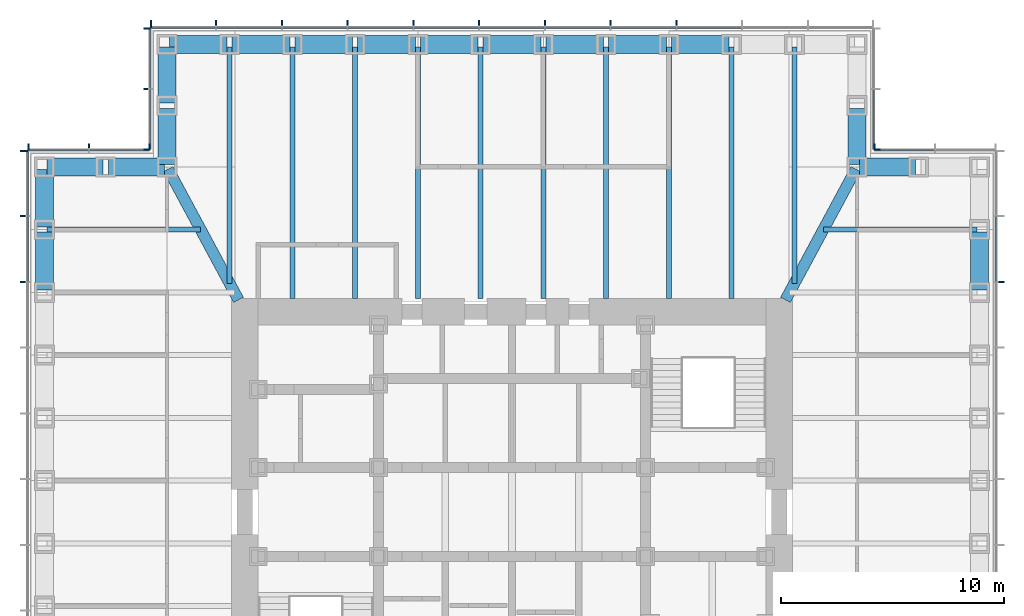
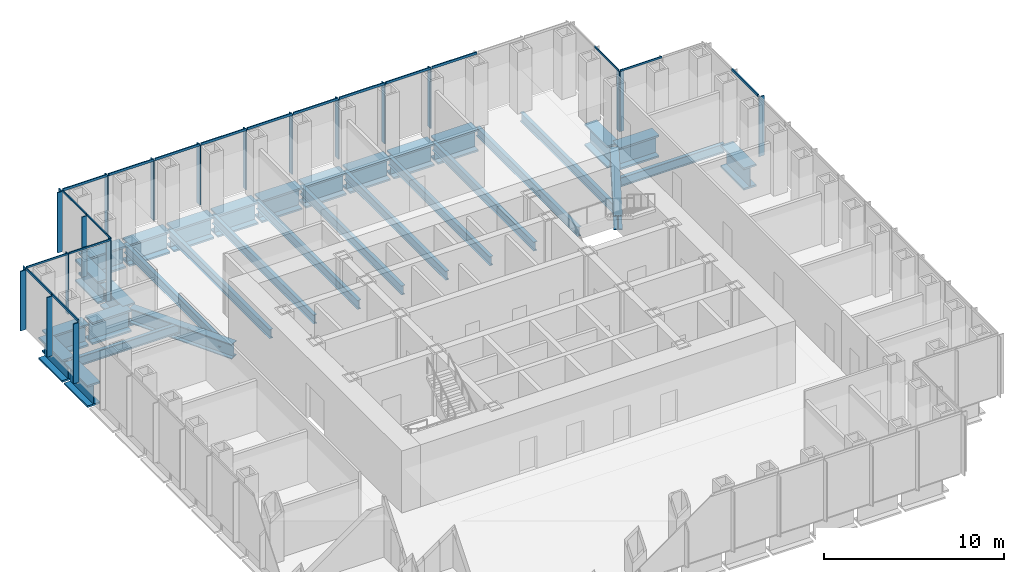
# One storey, part 5 of 17: 39 members, 32 beams, 7 elements without a shape of their own.
"""IFC4 building model written with IfcOpenShell, lengths in metres."""

from ifc_helpers import new_model, si_unit, direction, frame, origin, origin_2d, place, context, subcontext, project, spatial, rectangle, i_section, extrude, material, material_profile, profile_set, type_object, element, aggregate, save


model = new_model("IFC4")

# Units and contexts
model_context = context("Model", 3, precision=1e-05, world=origin(), true_north=direction((0.0, 1.0)))
body_context = subcontext(model_context, "Body", "Model", "MODEL_VIEW")
ifc_project = project(units=[si_unit("LENGTHUNIT", "METRE"), si_unit("AREAUNIT", "SQUARE_METRE"), si_unit("VOLUMEUNIT", "CUBIC_METRE"), si_unit("PLANEANGLEUNIT", "RADIAN"), si_unit("MASSUNIT", "GRAM", prefix="KILO")], contexts=[model_context])

# Site, building, storey
site_placement = place(None, origin())
site = spatial("IfcSite", under=ifc_project, at=site_placement, CompositionType="ELEMENT")
building_placement = place(site_placement, origin())
building = spatial("IfcBuilding", under=site, at=building_placement, Name="Daluyong Arena Tower", CompositionType="ELEMENT")
storey_placement = place(building_placement, frame((0.0, 0.0, 193.89990234375)))
storey = spatial("IfcBuildingStorey", under=building, at=storey_placement, Name="L43", CompositionType="ELEMENT", Elevation=193.89990234375)

# Curtain wall, member
ifc_material_1 = material(Name="Bronze anodised aluminium and glass", Category="aluminium")
curtain_wall_type_1 = type_object("IfcCurtainWallType", Name="Curtain wall CW3", PredefinedType="USERDEFINED", material=ifc_material_1)
curtain_wall_1_placement = place(storey_placement, origin())
curtain_wall_1 = element("IfcCurtainWall", 1, at=curtain_wall_1_placement, inside=storey, type_object=curtain_wall_type_1, Name="curtain wall L43 E", ObjectType="UNITISED CURTAIN WALL", PredefinedType="USERDEFINED")
ifc_material_2 = material(Name="Bronze anodised aluminium fin", Category="aluminium")
ifc_material_profile_1 = material_profile(ifc_material_2, rectangle(XDim=0.35009765625, YDim=0.070068359375, at=origin_2d()))
ifc_profile_set_1 = profile_set([ifc_material_profile_1], Name="Bronze anodised aluminium fin")
member_type_1 = type_object("IfcMemberType", Name="CW3 bronze fin 350x70", PredefinedType="MULLION", material=ifc_profile_set_1)
member_1_placement = place(storey_placement, frame((77.925048828125, 90.3408203125, 0.0), z_axis=(0.0, 0.0, 1.0), x_axis=(-1.0, 0.0, 0.0)))
member_1 = element("IfcMember", 2, at=member_1_placement, type_object=member_type_1, Name="curtain wall L43 E fin 10", PredefinedType="MULLION", context=body_context, shape_type="SweptSolid", body=[
    extrude(rectangle(XDim=0.35009765625, YDim=0.070068359375, at=origin_2d()), origin(), (0.0, 0.0, 1.0), 4.0400390625),
])

# Curtain wall, members
curtain_wall_2_placement = place(storey_placement, origin())
curtain_wall_2 = element("IfcCurtainWall", 3, at=curtain_wall_2_placement, inside=storey, type_object=curtain_wall_type_1, Name="curtain wall L43 N", ObjectType="UNITISED CURTAIN WALL", PredefinedType="USERDEFINED")
member_2_placement = place(storey_placement, frame((63.386474609375, 101.925048828125, 0.0), z_axis=(0.0, 0.0, 1.0), x_axis=(0.0, -1.0, 0.0)))
member_2 = element("IfcMember", 4, at=member_2_placement, type_object=member_type_1, Name="curtain wall L43 N fin 4", PredefinedType="MULLION", context=body_context, shape_type="SweptSolid", body=[
    extrude(rectangle(XDim=0.35009765625, YDim=0.070068359375, at=origin_2d()), origin(), (0.0, 0.0, 1.0), 4.0400390625),
])
member_3_placement = place(storey_placement, frame((60.431884765625, 101.925048828125, 0.0), z_axis=(0.0, 0.0, 1.0), x_axis=(0.0, -1.0, 0.0)))
member_3 = element("IfcMember", 5, at=member_3_placement, type_object=member_type_1, Name="curtain wall L43 N fin 5", PredefinedType="MULLION", context=body_context, shape_type="SweptSolid", body=[
    extrude(rectangle(XDim=0.35009765625, YDim=0.070068359375, at=origin_2d()), origin(), (0.0, 0.0, 1.0), 4.0400390625),
])
member_4_placement = place(storey_placement, frame((57.477294921875, 101.925048828125, 0.0), z_axis=(0.0, 0.0, 1.0), x_axis=(0.0, -1.0, 0.0)))
member_4 = element("IfcMember", 6, at=member_4_placement, type_object=member_type_1, Name="curtain wall L43 N fin 6", PredefinedType="MULLION", context=body_context, shape_type="SweptSolid", body=[
    extrude(rectangle(XDim=0.35009765625, YDim=0.070068359375, at=origin_2d()), origin(), (0.0, 0.0, 1.0), 4.0400390625),
])
member_5_placement = place(storey_placement, frame((54.522705078125, 101.925048828125, 0.0), z_axis=(0.0, 0.0, 1.0), x_axis=(0.0, -1.0, 0.0)))
member_5 = element("IfcMember", 7, at=member_5_placement, type_object=member_type_1, Name="curtain wall L43 N fin 7", PredefinedType="MULLION", context=body_context, shape_type="SweptSolid", body=[
    extrude(rectangle(XDim=0.35009765625, YDim=0.070068359375, at=origin_2d()), origin(), (0.0, 0.0, 1.0), 4.0400390625),
])
member_6_placement = place(storey_placement, frame((51.568115234375, 101.925048828125, 0.0), z_axis=(0.0, 0.0, 1.0), x_axis=(0.0, -1.0, 0.0)))
member_6 = element("IfcMember", 8, at=member_6_placement, type_object=member_type_1, Name="curtain wall L43 N fin 8", PredefinedType="MULLION", context=body_context, shape_type="SweptSolid", body=[
    extrude(rectangle(XDim=0.35009765625, YDim=0.070068359375, at=origin_2d()), origin(), (0.0, 0.0, 1.0), 4.0400390625),
])
member_7_placement = place(storey_placement, frame((48.613525390625, 101.925048828125, 0.0), z_axis=(0.0, 0.0, 1.0), x_axis=(0.0, -1.0, 0.0)))
member_7 = element("IfcMember", 9, at=member_7_placement, type_object=member_type_1, Name="curtain wall L43 N fin 9", PredefinedType="MULLION", context=body_context, shape_type="SweptSolid", body=[
    extrude(rectangle(XDim=0.35009765625, YDim=0.070068359375, at=origin_2d()), origin(), (0.0, 0.0, 1.0), 4.0400390625),
])
member_8_placement = place(storey_placement, frame((45.6591796875, 101.925048828125, 0.0), z_axis=(0.0, 0.0, 1.0), x_axis=(0.0, -1.0, 0.0)))
member_8 = element("IfcMember", 10, at=member_8_placement, type_object=member_type_1, Name="curtain wall L43 N fin 10", PredefinedType="MULLION", context=body_context, shape_type="SweptSolid", body=[
    extrude(rectangle(XDim=0.35009765625, YDim=0.070068359375, at=origin_2d()), origin(), (0.0, 0.0, 1.0), 4.0400390625),
])
member_9_placement = place(storey_placement, frame((42.70458984375, 101.925048828125, 0.0), z_axis=(0.0, 0.0, 1.0), x_axis=(0.0, -1.0, 0.0)))
member_9 = element("IfcMember", 11, at=member_9_placement, type_object=member_type_1, Name="curtain wall L43 N fin 11", PredefinedType="MULLION", context=body_context, shape_type="SweptSolid", body=[
    extrude(rectangle(XDim=0.35009765625, YDim=0.070068359375, at=origin_2d()), origin(), (0.0, 0.0, 1.0), 4.0400390625),
])
member_10_placement = place(storey_placement, frame((39.784912109375, 101.925048828125, 0.0), z_axis=(0.0, 0.0, 1.0), x_axis=(0.0, -1.0, 0.0)))
member_10 = element("IfcMember", 12, at=member_10_placement, type_object=member_type_1, Name="curtain wall L43 N fin 12", PredefinedType="MULLION", context=body_context, shape_type="SweptSolid", body=[
    extrude(rectangle(XDim=0.35009765625, YDim=0.070068359375, at=origin_2d()), origin(), (0.0, 0.0, 1.0), 4.0400390625),
])

curtain_wall_3_placement = place(storey_placement, origin())
curtain_wall_3 = element("IfcCurtainWall", 13, at=curtain_wall_3_placement, inside=storey, type_object=curtain_wall_type_1, Name="curtain wall L43 W", ObjectType="UNITISED CURTAIN WALL", PredefinedType="USERDEFINED")
member_11_placement = place(storey_placement, frame((34.074951171875, 96.215087890625, 0.0), z_axis=(0.0, 0.0, 1.0), x_axis=(1.0, 0.0, 0.0)))
member_11 = element("IfcMember", 14, at=member_11_placement, type_object=member_type_1, Name="curtain wall L43 W fin 1", PredefinedType="MULLION", context=body_context, shape_type="SweptSolid", body=[
    extrude(rectangle(XDim=0.35009765625, YDim=0.070068359375, at=origin_2d()), origin(), (0.0, 0.0, 1.0), 4.0400390625),
])
member_12_placement = place(storey_placement, frame((34.074951171875, 93.29541015625, 0.0), z_axis=(0.0, 0.0, 1.0), x_axis=(1.0, 0.0, 0.0)))
member_12 = element("IfcMember", 15, at=member_12_placement, type_object=member_type_1, Name="curtain wall L43 W fin 2", PredefinedType="MULLION", context=body_context, shape_type="SweptSolid", body=[
    extrude(rectangle(XDim=0.35009765625, YDim=0.070068359375, at=origin_2d()), origin(), (0.0, 0.0, 1.0), 4.0400390625),
])
member_13_placement = place(storey_placement, frame((34.074951171875, 90.3408203125, 0.0), z_axis=(0.0, 0.0, 1.0), x_axis=(1.0, 0.0, 0.0)))
member_13 = element("IfcMember", 16, at=member_13_placement, type_object=member_type_1, Name="curtain wall L43 W fin 3", PredefinedType="MULLION", context=body_context, shape_type="SweptSolid", body=[
    extrude(rectangle(XDim=0.35009765625, YDim=0.070068359375, at=origin_2d()), origin(), (0.0, 0.0, 1.0), 4.0400390625),
])

# Member
ifc_material_3 = material(Name="Bronze anodised aluminium", Category="aluminium")
ifc_material_profile_2 = material_profile(ifc_material_3, rectangle(XDim=0.070068359375, YDim=0.159912109375, at=origin_2d()))
ifc_profile_set_2 = profile_set([ifc_material_profile_2], Name="Bronze anodised aluminium")
member_type_2 = type_object("IfcMemberType", Name="CW3 stack transom 160x70", PredefinedType="USERDEFINED", material=ifc_profile_set_2)
member_14_placement = place(storey_placement, frame((77.75, 90.3759765625, 4.1201171875), z_axis=(0.0, 1.0, 0.0), x_axis=(-1.0, 0.0, 0.0)))
member_14 = element("IfcMember", 17, at=member_14_placement, type_object=member_type_2, Name="curtain wall L43 E transom 10", ObjectType="TRANSOM", PredefinedType="USERDEFINED", context=body_context, shape_type="SweptSolid", body=[
    extrude(rectangle(XDim=0.070068359375, YDim=0.159912109375, at=origin_2d()), origin(), (0.0, 0.0, 1.0), 2.884521484375),
])

aggregate(curtain_wall_1, [member_1, member_14])

member_15_placement = place(storey_placement, frame((66.305908203125, 101.75, 4.1201171875), z_axis=(-1.0, 0.0, 0.0), x_axis=(0.0, -1.0, 0.0)))
member_15 = element("IfcMember", 18, at=member_15_placement, type_object=member_type_2, Name="curtain wall L43 N transom 3", ObjectType="TRANSOM", PredefinedType="USERDEFINED", context=body_context, shape_type="SweptSolid", body=[
    extrude(rectangle(XDim=0.070068359375, YDim=0.159912109375, at=origin_2d()), origin(), (0.0, 0.0, 1.0), 2.884521484375),
])

member_16_placement = place(storey_placement, frame((63.351318359375, 101.75, 4.1201171875), z_axis=(-1.0, 0.0, 0.0), x_axis=(0.0, -1.0, 0.0)))
member_16 = element("IfcMember", 19, at=member_16_placement, type_object=member_type_2, Name="curtain wall L43 N transom 4", ObjectType="TRANSOM", PredefinedType="USERDEFINED", context=body_context, shape_type="SweptSolid", body=[
    extrude(rectangle(XDim=0.070068359375, YDim=0.159912109375, at=origin_2d()), origin(), (0.0, 0.0, 1.0), 2.884521484375),
])

member_17_placement = place(storey_placement, frame((60.396728515625, 101.75, 4.1201171875), z_axis=(-1.0, 0.0, 0.0), x_axis=(0.0, -1.0, 0.0)))
member_17 = element("IfcMember", 20, at=member_17_placement, type_object=member_type_2, Name="curtain wall L43 N transom 5", ObjectType="TRANSOM", PredefinedType="USERDEFINED", context=body_context, shape_type="SweptSolid", body=[
    extrude(rectangle(XDim=0.070068359375, YDim=0.159912109375, at=origin_2d()), origin(), (0.0, 0.0, 1.0), 2.884521484375),
])

member_18_placement = place(storey_placement, frame((57.4423828125, 101.75, 4.1201171875), z_axis=(-1.0, 0.0, 0.0), x_axis=(0.0, -1.0, 0.0)))
member_18 = element("IfcMember", 21, at=member_18_placement, type_object=member_type_2, Name="curtain wall L43 N transom 6", ObjectType="TRANSOM", PredefinedType="USERDEFINED", context=body_context, shape_type="SweptSolid", body=[
    extrude(rectangle(XDim=0.070068359375, YDim=0.159912109375, at=origin_2d()), origin(), (0.0, 0.0, 1.0), 2.884765625),
])

member_19_placement = place(storey_placement, frame((54.48779296875, 101.75, 4.1201171875), z_axis=(-1.0, 0.0, 0.0), x_axis=(0.0, -1.0, 0.0)))
member_19 = element("IfcMember", 22, at=member_19_placement, type_object=member_type_2, Name="curtain wall L43 N transom 7", ObjectType="TRANSOM", PredefinedType="USERDEFINED", context=body_context, shape_type="SweptSolid", body=[
    extrude(rectangle(XDim=0.070068359375, YDim=0.159912109375, at=origin_2d()), origin(), (0.0, 0.0, 1.0), 2.884521484375),
])

member_20_placement = place(storey_placement, frame((51.533203125, 101.75, 4.1201171875), z_axis=(-1.0, 0.0, 0.0), x_axis=(0.0, -1.0, 0.0)))
member_20 = element("IfcMember", 23, at=member_20_placement, type_object=member_type_2, Name="curtain wall L43 N transom 8", ObjectType="TRANSOM", PredefinedType="USERDEFINED", context=body_context, shape_type="SweptSolid", body=[
    extrude(rectangle(XDim=0.070068359375, YDim=0.159912109375, at=origin_2d()), origin(), (0.0, 0.0, 1.0), 2.884521484375),
])

member_21_placement = place(storey_placement, frame((48.57861328125, 101.75, 4.1201171875), z_axis=(-1.0, 0.0, 0.0), x_axis=(0.0, -1.0, 0.0)))
member_21 = element("IfcMember", 24, at=member_21_placement, type_object=member_type_2, Name="curtain wall L43 N transom 9", ObjectType="TRANSOM", PredefinedType="USERDEFINED", context=body_context, shape_type="SweptSolid", body=[
    extrude(rectangle(XDim=0.070068359375, YDim=0.159912109375, at=origin_2d()), origin(), (0.0, 0.0, 1.0), 2.884521484375),
])

member_22_placement = place(storey_placement, frame((45.6240234375, 101.75, 4.1201171875), z_axis=(-1.0, 0.0, 0.0), x_axis=(0.0, -1.0, 0.0)))
member_22 = element("IfcMember", 25, at=member_22_placement, type_object=member_type_2, Name="curtain wall L43 N transom 10", ObjectType="TRANSOM", PredefinedType="USERDEFINED", context=body_context, shape_type="SweptSolid", body=[
    extrude(rectangle(XDim=0.070068359375, YDim=0.159912109375, at=origin_2d()), origin(), (0.0, 0.0, 1.0), 2.884521484375),
])

member_23_placement = place(storey_placement, frame((42.66943359375, 101.75, 4.1201171875), z_axis=(-1.0, 0.0, 0.0), x_axis=(0.0, -1.0, 0.0)))
member_23 = element("IfcMember", 26, at=member_23_placement, type_object=member_type_2, Name="curtain wall L43 N transom 11", ObjectType="TRANSOM", PredefinedType="USERDEFINED", context=body_context, shape_type="SweptSolid", body=[
    extrude(rectangle(XDim=0.070068359375, YDim=0.159912109375, at=origin_2d()), origin(), (0.0, 0.0, 1.0), 2.849365234375),
])

aggregate(curtain_wall_2, [member_2, member_3, member_4, member_5, member_6, member_7, member_8, member_9, member_10, member_15, member_16, member_17, member_18, member_19, member_20, member_21, member_22, member_23])

member_24_placement = place(storey_placement, frame((34.25, 96.179931640625, 4.1201171875), z_axis=(0.0, -1.0, 0.0), x_axis=(1.0, 0.0, 0.0)))
member_24 = element("IfcMember", 27, at=member_24_placement, type_object=member_type_2, Name="curtain wall L43 W transom 1", ObjectType="TRANSOM", PredefinedType="USERDEFINED", context=body_context, shape_type="SweptSolid", body=[
    extrude(rectangle(XDim=0.070068359375, YDim=0.159912109375, at=origin_2d()), origin(), (0.0, 0.0, 1.0), 2.849365234375),
])

member_25_placement = place(storey_placement, frame((34.25, 93.260498046875, 4.1201171875), z_axis=(0.0, -1.0, 0.0), x_axis=(1.0, 0.0, 0.0)))
member_25 = element("IfcMember", 28, at=member_25_placement, type_object=member_type_2, Name="curtain wall L43 W transom 2", ObjectType="TRANSOM", PredefinedType="USERDEFINED", context=body_context, shape_type="SweptSolid", body=[
    extrude(rectangle(XDim=0.070068359375, YDim=0.159912109375, at=origin_2d()), origin(), (0.0, 0.0, 1.0), 2.884521484375),
])

aggregate(curtain_wall_3, [member_11, member_12, member_13, member_24, member_25])

# Curtain wall, member
ifc_material_4 = material(Name="Bronze anodised aluminium and glass", Category="aluminium")
curtain_wall_type_2 = type_object("IfcCurtainWallType", Name="Curtain wall CW7", PredefinedType="USERDEFINED", material=ifc_material_4)
curtain_wall_4_placement = place(storey_placement, origin())
curtain_wall_4 = element("IfcCurtainWall", 29, at=curtain_wall_4_placement, inside=storey, type_object=curtain_wall_type_2, Name="curtain wall L43 NE-N", ObjectType="UNITISED CURTAIN WALL", PredefinedType="USERDEFINED")
ifc_material_5 = material(Name="Bronze anodised aluminium fin", Category="aluminium")
ifc_material_profile_3 = material_profile(ifc_material_5, rectangle(XDim=0.300048828125, YDim=0.06005859375, at=origin_2d()))
ifc_profile_set_3 = profile_set([ifc_material_profile_3], Name="Bronze anodised aluminium fin")
member_type_3 = type_object("IfcMemberType", Name="CW7 bronze fin 300x60", PredefinedType="MULLION", material=ifc_profile_set_3)
member_26_placement = place(storey_placement, frame((72.280029296875, 96.39990234375, 0.0), z_axis=(0.0, 0.0, 1.0), x_axis=(0.0, -1.0, 0.0)))
member_26 = element("IfcMember", 30, at=member_26_placement, type_object=member_type_3, Name="curtain wall L43 NE-N fin 3", PredefinedType="MULLION", context=body_context, shape_type="SweptSolid", body=[
    extrude(rectangle(XDim=0.300048828125, YDim=0.06005859375, at=origin_2d()), origin(), (0.0, 0.0, 1.0), 4.080078125),
])

curtain_wall_5_placement = place(storey_placement, origin())
curtain_wall_5 = element("IfcCurtainWall", 31, at=curtain_wall_5_placement, inside=storey, type_object=curtain_wall_type_2, Name="curtain wall L43 NE-E", ObjectType="UNITISED CURTAIN WALL", PredefinedType="USERDEFINED")
member_27_placement = place(storey_placement, frame((72.39990234375, 96.280029296875, 0.0), z_axis=(0.0, 0.0, 1.0), x_axis=(-1.0, 0.0, 0.0)))
member_27 = element("IfcMember", 32, at=member_27_placement, type_object=member_type_3, Name="curtain wall L43 NE-E fin 1", PredefinedType="MULLION", context=body_context, shape_type="SweptSolid", body=[
    extrude(rectangle(XDim=0.300048828125, YDim=0.06005859375, at=origin_2d()), origin(), (0.0, 0.0, 1.0), 4.080078125),
])

# Curtain wall, members
curtain_wall_6_placement = place(storey_placement, origin())
curtain_wall_6 = element("IfcCurtainWall", 33, at=curtain_wall_6_placement, inside=storey, type_object=curtain_wall_type_2, Name="curtain wall L43 NW-W", ObjectType="UNITISED CURTAIN WALL", PredefinedType="USERDEFINED")
member_28_placement = place(storey_placement, frame((39.60009765625, 101.719970703125, 0.0), z_axis=(0.0, 0.0, 1.0), x_axis=(1.0, 0.0, 0.0)))
member_28 = element("IfcMember", 34, at=member_28_placement, type_object=member_type_3, Name="curtain wall L43 NW-W fin 1", PredefinedType="MULLION", context=body_context, shape_type="SweptSolid", body=[
    extrude(rectangle(XDim=0.300048828125, YDim=0.06005859375, at=origin_2d()), origin(), (0.0, 0.0, 1.0), 4.080078125),
])
member_29_placement = place(storey_placement, frame((39.60009765625, 99.0, 0.0), z_axis=(0.0, 0.0, 1.0), x_axis=(1.0, 0.0, 0.0)))
member_29 = element("IfcMember", 35, at=member_29_placement, type_object=member_type_3, Name="curtain wall L43 NW-W fin 2", PredefinedType="MULLION", context=body_context, shape_type="SweptSolid", body=[
    extrude(rectangle(XDim=0.300048828125, YDim=0.06005859375, at=origin_2d()), origin(), (0.0, 0.0, 1.0), 4.080078125),
])
member_30_placement = place(storey_placement, frame((39.60009765625, 96.280029296875, 0.0), z_axis=(0.0, 0.0, 1.0), x_axis=(1.0, 0.0, 0.0)))
member_30 = element("IfcMember", 36, at=member_30_placement, type_object=member_type_3, Name="curtain wall L43 NW-W fin 3", PredefinedType="MULLION", context=body_context, shape_type="SweptSolid", body=[
    extrude(rectangle(XDim=0.300048828125, YDim=0.06005859375, at=origin_2d()), origin(), (0.0, 0.0, 1.0), 4.080078125),
])

curtain_wall_7_placement = place(storey_placement, origin())
curtain_wall_7 = element("IfcCurtainWall", 37, at=curtain_wall_7_placement, inside=storey, type_object=curtain_wall_type_2, Name="curtain wall L43 NW-N", ObjectType="UNITISED CURTAIN WALL", PredefinedType="USERDEFINED")
member_31_placement = place(storey_placement, frame((39.719970703125, 96.39990234375, 0.0), z_axis=(0.0, 0.0, 1.0), x_axis=(0.0, -1.0, 0.0)))
member_31 = element("IfcMember", 38, at=member_31_placement, type_object=member_type_3, Name="curtain wall L43 NW-N fin 1", PredefinedType="MULLION", context=body_context, shape_type="SweptSolid", body=[
    extrude(rectangle(XDim=0.300048828125, YDim=0.06005859375, at=origin_2d()), origin(), (0.0, 0.0, 1.0), 4.080078125),
])
member_32_placement = place(storey_placement, frame((37.0, 96.39990234375, 0.0), z_axis=(0.0, 0.0, 1.0), x_axis=(0.0, -1.0, 0.0)))
member_32 = element("IfcMember", 39, at=member_32_placement, type_object=member_type_3, Name="curtain wall L43 NW-N fin 2", PredefinedType="MULLION", context=body_context, shape_type="SweptSolid", body=[
    extrude(rectangle(XDim=0.300048828125, YDim=0.06005859375, at=origin_2d()), origin(), (0.0, 0.0, 1.0), 4.080078125),
])
member_33_placement = place(storey_placement, frame((34.280029296875, 96.39990234375, 0.0), z_axis=(0.0, 0.0, 1.0), x_axis=(0.0, -1.0, 0.0)))
member_33 = element("IfcMember", 40, at=member_33_placement, type_object=member_type_3, Name="curtain wall L43 NW-N fin 3", PredefinedType="MULLION", context=body_context, shape_type="SweptSolid", body=[
    extrude(rectangle(XDim=0.300048828125, YDim=0.06005859375, at=origin_2d()), origin(), (0.0, 0.0, 1.0), 4.080078125),
])

# Member
ifc_material_6 = material(Name="Bronze anodised aluminium", Category="aluminium")
ifc_material_profile_4 = material_profile(ifc_material_6, rectangle(XDim=0.06005859375, YDim=0.1201171875, at=origin_2d()))
ifc_profile_set_4 = profile_set([ifc_material_profile_4], Name="Bronze anodised aluminium")
member_type_4 = type_object("IfcMemberType", Name="CW7 stack transom 120x60", PredefinedType="USERDEFINED", material=ifc_profile_set_4)
member_34_placement = place(storey_placement, frame((74.969970703125, 96.25, 4.14013671875), z_axis=(-1.0, 0.0, 0.0), x_axis=(0.0, -1.0, 0.0)))
member_34 = element("IfcMember", 41, at=member_34_placement, type_object=member_type_4, Name="curtain wall L43 NE-N transom 2", ObjectType="TRANSOM", PredefinedType="USERDEFINED", context=body_context, shape_type="SweptSolid", body=[
    extrude(rectangle(XDim=0.06005859375, YDim=0.1201171875, at=origin_2d()), origin(), (0.0, 0.0, 1.0), 2.659912109375),
])

aggregate(curtain_wall_4, [member_26, member_34])

member_35_placement = place(storey_placement, frame((72.25, 96.31005859375, 4.14013671875), z_axis=(0.0, 1.0, 0.0), x_axis=(-1.0, 0.0, 0.0)))
member_35 = element("IfcMember", 42, at=member_35_placement, type_object=member_type_4, Name="curtain wall L43 NE-E transom 1", ObjectType="TRANSOM", PredefinedType="USERDEFINED", context=body_context, shape_type="SweptSolid", body=[
    extrude(rectangle(XDim=0.06005859375, YDim=0.1201171875, at=origin_2d()), origin(), (0.0, 0.0, 1.0), 2.659912109375),
])

aggregate(curtain_wall_5, [member_27, member_35])

member_36_placement = place(storey_placement, frame((39.75, 101.68994140625, 4.14013671875), z_axis=(0.0, -1.0, 0.0), x_axis=(1.0, 0.0, 0.0)))
member_36 = element("IfcMember", 43, at=member_36_placement, type_object=member_type_4, Name="curtain wall L43 NW-W transom 1", ObjectType="TRANSOM", PredefinedType="USERDEFINED", context=body_context, shape_type="SweptSolid", body=[
    extrude(rectangle(XDim=0.06005859375, YDim=0.1201171875, at=origin_2d()), origin(), (0.0, 0.0, 1.0), 2.659912109375),
])

member_37_placement = place(storey_placement, frame((39.75, 98.969970703125, 4.14013671875), z_axis=(0.0, -1.0, 0.0), x_axis=(1.0, 0.0, 0.0)))
member_37 = element("IfcMember", 44, at=member_37_placement, type_object=member_type_4, Name="curtain wall L43 NW-W transom 2", ObjectType="TRANSOM", PredefinedType="USERDEFINED", context=body_context, shape_type="SweptSolid", body=[
    extrude(rectangle(XDim=0.06005859375, YDim=0.1201171875, at=origin_2d()), origin(), (0.0, 0.0, 1.0), 2.659912109375),
])

aggregate(curtain_wall_6, [member_28, member_29, member_30, member_36, member_37])

member_38_placement = place(storey_placement, frame((39.68994140625, 96.25, 4.14013671875), z_axis=(-1.0, 0.0, 0.0), x_axis=(0.0, -1.0, 0.0)))
member_38 = element("IfcMember", 45, at=member_38_placement, type_object=member_type_4, Name="curtain wall L43 NW-N transom 1", ObjectType="TRANSOM", PredefinedType="USERDEFINED", context=body_context, shape_type="SweptSolid", body=[
    extrude(rectangle(XDim=0.06005859375, YDim=0.1201171875, at=origin_2d()), origin(), (0.0, 0.0, 1.0), 2.659912109375),
])

member_39_placement = place(storey_placement, frame((36.969970703125, 96.25, 4.14013671875), z_axis=(-1.0, 0.0, 0.0), x_axis=(0.0, -1.0, 0.0)))
member_39 = element("IfcMember", 46, at=member_39_placement, type_object=member_type_4, Name="curtain wall L43 NW-N transom 2", ObjectType="TRANSOM", PredefinedType="USERDEFINED", context=body_context, shape_type="SweptSolid", body=[
    extrude(rectangle(XDim=0.06005859375, YDim=0.1201171875, at=origin_2d()), origin(), (0.0, 0.0, 1.0), 2.659912109375),
])

aggregate(curtain_wall_7, [member_31, member_32, member_33, member_38, member_39])

# Beams
ifc_material_7 = material(Name="Steel ASTM A572 Grade 50", Category="steel")
ifc_material_profile_5 = material_profile(ifc_material_7, i_section(OverallWidth=0.5, OverallDepth=1.0, WebThickness=0.03, FlangeThickness=0.06, at=origin_2d()))
ifc_profile_set_5 = profile_set([ifc_material_profile_5], Name="Steel ASTM A572 Grade 50")
beam_type_1 = type_object("IfcBeamType", Name="Corner girder TB1000X500", PredefinedType="BEAM", material=ifc_profile_set_5)
for number, where, z_axis, x_axis, name in (
    (47, (71.445556640625, 95.398681640625, -0.659912109375), (-0.474119475266, -0.880460517669, 0.0), (0.880460517669, -0.474119475266, 0.0), "corner girder DG2"),
    (48, (40.554443359375, 95.398681640625, -0.659912109375), (0.474119475266, -0.880460517669, 0.0), (0.880460517669, 0.474119475266, 0.0), "corner girder DG2"),
):
    element("IfcBeam", number, at=place(storey_placement, frame(where, z_axis=z_axis, x_axis=x_axis)), inside=storey, type_object=beam_type_1, Name=name, PredefinedType="BEAM", context=body_context, shape_type="SweptSolid", body=[
        extrude(i_section(OverallWidth=0.5, OverallDepth=1.0, WebThickness=0.03, FlangeThickness=0.06, at=origin_2d()), origin(), (0.0, 0.0, 1.0), 6.66748046875),
    ])
ifc_material_8 = material(Name="Steel ASTM A992 Grade 50", Category="steel")
ifc_material_profile_6 = material_profile(ifc_material_8, i_section(OverallWidth=0.22900390625, OverallDepth=0.612060546875, WebThickness=0.011962890625, FlangeThickness=0.01953125, at=origin_2d()))
ifc_profile_set_6 = profile_set([ifc_material_profile_6], Name="Steel ASTM A992 Grade 50")
beam_type_2 = type_object("IfcBeamType", Name="Floor beam W24X84", PredefinedType="BEAM", material=ifc_profile_set_6)
beam_1_placement = place(storey_placement, frame((76.885009765625, 92.681884765625, -0.466064453125), z_axis=(-1.0, 0.0, 0.0), x_axis=(0.0, -1.0, 0.0)))
element("IfcBeam", 49, at=beam_1_placement, inside=storey, type_object=beam_type_2, Name="floor beam FB3", PredefinedType="BEAM", context=body_context, shape_type="SweptSolid", body=[
    extrude(i_section(OverallWidth=0.22900390625, OverallDepth=0.612060546875, WebThickness=0.011962890625, FlangeThickness=0.01953125, at=origin_2d()), origin(), (0.0, 0.0, 1.0), 6.902587890625),
])
beam_2_placement = place(storey_placement, frame((68.681884765625, 100.885009765625, -0.466064453125), z_axis=(0.0, -1.0, 0.0), x_axis=(1.0, 0.0, 0.0)))
element("IfcBeam", 50, at=beam_2_placement, inside=storey, type_object=beam_type_2, Name="floor beam FB3", PredefinedType="BEAM", context=body_context, shape_type="SweptSolid", body=[
    extrude(i_section(OverallWidth=0.22900390625, OverallDepth=0.612060546875, WebThickness=0.011962890625, FlangeThickness=0.01953125, at=origin_2d()), origin(), (0.0, 0.0, 1.0), 10.618896484375),
])
for number, where, z_axis, x_axis, name in (
    (51, (65.863525390625, 100.885009765625, -0.466064453125), (0.0, -1.0, 0.0), (1.0, 0.0, 0.0), "floor beam FB3"),
    (52, (63.04541015625, 100.885009765625, -0.466064453125), (0.0, -1.0, 0.0), (1.0, 0.0, 0.0), "floor beam FB3"),
    (53, (60.227294921875, 100.885009765625, -0.466064453125), (0.0, -1.0, 0.0), (1.0, 0.0, 0.0), "floor beam FB3"),
    (54, (57.4091796875, 100.885009765625, -0.466064453125), (0.0, -1.0, 0.0), (1.0, 0.0, 0.0), "floor beam FB3"),
    (55, (54.5908203125, 100.885009765625, -0.466064453125), (0.0, -1.0, 0.0), (1.0, 0.0, 0.0), "floor beam FB3"),
    (56, (51.772705078125, 100.885009765625, -0.466064453125), (0.0, -1.0, 0.0), (1.0, 0.0, 0.0), "floor beam FB3"),
    (57, (48.95458984375, 100.885009765625, -0.466064453125), (0.0, -1.0, 0.0), (1.0, 0.0, 0.0), "floor beam FB3"),
    (58, (46.136474609375, 100.885009765625, -0.466064453125), (0.0, -1.0, 0.0), (1.0, 0.0, 0.0), "floor beam FB3"),
):
    element("IfcBeam", number, at=place(storey_placement, frame(where, z_axis=z_axis, x_axis=x_axis)), inside=storey, type_object=beam_type_2, Name=name, PredefinedType="BEAM", context=body_context, shape_type="SweptSolid", body=[
        extrude(i_section(OverallWidth=0.22900390625, OverallDepth=0.612060546875, WebThickness=0.011962890625, FlangeThickness=0.01953125, at=origin_2d()), origin(), (0.0, 0.0, 1.0), 11.284912109375),
    ])
beam_3_placement = place(storey_placement, frame((43.318115234375, 100.885009765625, -0.466064453125), z_axis=(0.0, -1.0, 0.0), x_axis=(1.0, 0.0, 0.0)))
element("IfcBeam", 59, at=beam_3_placement, inside=storey, type_object=beam_type_2, Name="floor beam FB3", PredefinedType="BEAM", context=body_context, shape_type="SweptSolid", body=[
    extrude(i_section(OverallWidth=0.22900390625, OverallDepth=0.612060546875, WebThickness=0.011962890625, FlangeThickness=0.01953125, at=origin_2d()), origin(), (0.0, 0.0, 1.0), 10.618896484375),
])
beam_4_placement = place(storey_placement, frame((35.114990234375, 92.681884765625, -0.466064453125), z_axis=(1.0, 0.0, 0.0), x_axis=(0.0, 1.0, 0.0)))
element("IfcBeam", 60, at=beam_4_placement, inside=storey, type_object=beam_type_2, Name="floor beam FB3", PredefinedType="BEAM", context=body_context, shape_type="SweptSolid", body=[
    extrude(i_section(OverallWidth=0.22900390625, OverallDepth=0.612060546875, WebThickness=0.011962890625, FlangeThickness=0.01953125, at=origin_2d()), origin(), (0.0, 0.0, 1.0), 6.902587890625),
])
ifc_material_9 = material(Name="Steel ASTM A588 Grade 50", Category="steel")
ifc_material_profile_7 = material_profile(ifc_material_9, i_section(OverallWidth=0.800048828125, OverallDepth=1.5, WebThickness=0.05, FlangeThickness=0.12, at=origin_2d()))
ifc_profile_set_7 = profile_set([ifc_material_profile_7], Name="Steel ASTM A588 Grade 50")
beam_type_3 = type_object("IfcBeamType", Name="Spandrel Z3 PG1500X800", PredefinedType="SPANDREL", material=ifc_profile_set_7)
beam_5_placement = place(storey_placement, frame((77.0, 89.978515625, -0.909912109375), z_axis=(0.0, 1.0, 0.0), x_axis=(-1.0, 0.0, 0.0)))
element("IfcBeam", 61, at=beam_5_placement, inside=storey, type_object=beam_type_3, Name="spandrel z3 SB7", PredefinedType="SPANDREL", context=body_context, shape_type="SweptSolid", body=[
    extrude(i_section(OverallWidth=0.800048828125, OverallDepth=1.5, WebThickness=0.05, FlangeThickness=0.12, at=origin_2d()), origin(), (0.0, 0.0, 1.0), 2.58837890625),
])
for number, where, z_axis, x_axis, name in (
    (62, (74.135009765625, 95.5, -0.909912109375), (-1.0, 0.0, 0.0), (0.0, -1.0, 0.0), "spandrel z3 SB7"),
    (63, (71.5, 95.614990234375, -0.909912109375), (0.0, 1.0, 0.0), (-1.0, 0.0, 0.0), "spandrel z3 SB7"),
):
    element("IfcBeam", number, at=place(storey_placement, frame(where, z_axis=z_axis, x_axis=x_axis)), inside=storey, type_object=beam_type_3, Name=name, PredefinedType="SPANDREL", context=body_context, shape_type="SweptSolid", body=[
        extrude(i_section(OverallWidth=0.800048828125, OverallDepth=1.5, WebThickness=0.05, FlangeThickness=0.12, at=origin_2d()), origin(), (0.0, 0.0, 1.0), 2.52001953125),
    ])
for number, where, z_axis, x_axis, name in (
    (64, (65.74853515625, 101.0, -0.909912109375), (-1.0, 0.0, 0.0), (0.0, -1.0, 0.0), "spandrel z3 SB7"),
    (65, (62.930419921875, 101.0, -0.909912109375), (-1.0, 0.0, 0.0), (0.0, -1.0, 0.0), "spandrel z3 SB7"),
    (66, (60.1123046875, 101.0, -0.909912109375), (-1.0, 0.0, 0.0), (0.0, -1.0, 0.0), "spandrel z3 SB7"),
):
    element("IfcBeam", number, at=place(storey_placement, frame(where, z_axis=z_axis, x_axis=x_axis)), inside=storey, type_object=beam_type_3, Name=name, PredefinedType="SPANDREL", context=body_context, shape_type="SweptSolid", body=[
        extrude(i_section(OverallWidth=0.800048828125, OverallDepth=1.5, WebThickness=0.05, FlangeThickness=0.12, at=origin_2d()), origin(), (0.0, 0.0, 1.0), 2.588134765625),
    ])
beam_6_placement = place(storey_placement, frame((57.294189453125, 101.0, -0.909912109375), z_axis=(-1.0, 0.0, 0.0), x_axis=(0.0, -1.0, 0.0)))
element("IfcBeam", 67, at=beam_6_placement, inside=storey, type_object=beam_type_3, Name="spandrel z3 SB7", PredefinedType="SPANDREL", context=body_context, shape_type="SweptSolid", body=[
    extrude(i_section(OverallWidth=0.800048828125, OverallDepth=1.5, WebThickness=0.05, FlangeThickness=0.12, at=origin_2d()), origin(), (0.0, 0.0, 1.0), 2.58837890625),
])
for number, where, z_axis, x_axis, name in (
    (68, (54.475830078125, 101.0, -0.909912109375), (-1.0, 0.0, 0.0), (0.0, -1.0, 0.0), "spandrel z3 SB7"),
    (69, (51.65771484375, 101.0, -0.909912109375), (-1.0, 0.0, 0.0), (0.0, -1.0, 0.0), "spandrel z3 SB7"),
    (70, (48.839599609375, 101.0, -0.909912109375), (-1.0, 0.0, 0.0), (0.0, -1.0, 0.0), "spandrel z3 SB7"),
):
    element("IfcBeam", number, at=place(storey_placement, frame(where, z_axis=z_axis, x_axis=x_axis)), inside=storey, type_object=beam_type_3, Name=name, PredefinedType="SPANDREL", context=body_context, shape_type="SweptSolid", body=[
        extrude(i_section(OverallWidth=0.800048828125, OverallDepth=1.5, WebThickness=0.05, FlangeThickness=0.12, at=origin_2d()), origin(), (0.0, 0.0, 1.0), 2.588134765625),
    ])
beam_7_placement = place(storey_placement, frame((46.021484375, 101.0, -0.909912109375), z_axis=(-1.0, 0.0, 0.0), x_axis=(0.0, -1.0, 0.0)))
element("IfcBeam", 71, at=beam_7_placement, inside=storey, type_object=beam_type_3, Name="spandrel z3 SB7", PredefinedType="SPANDREL", context=body_context, shape_type="SweptSolid", body=[
    extrude(i_section(OverallWidth=0.800048828125, OverallDepth=1.5, WebThickness=0.05, FlangeThickness=0.12, at=origin_2d()), origin(), (0.0, 0.0, 1.0), 2.58837890625),
])
beam_8_placement = place(storey_placement, frame((43.203125, 101.0, -0.909912109375), z_axis=(-1.0, 0.0, 0.0), x_axis=(0.0, -1.0, 0.0)))
element("IfcBeam", 72, at=beam_8_placement, inside=storey, type_object=beam_type_3, Name="spandrel z3 SB7", PredefinedType="SPANDREL", context=body_context, shape_type="SweptSolid", body=[
    extrude(i_section(OverallWidth=0.800048828125, OverallDepth=1.5, WebThickness=0.05, FlangeThickness=0.12, at=origin_2d()), origin(), (0.0, 0.0, 1.0), 2.588134765625),
])
for number, where, z_axis, x_axis, name in (
    (73, (40.5, 100.885009765625, -0.909912109375), (0.0, -1.0, 0.0), (1.0, 0.0, 0.0), "spandrel z3 SB7"),
    (74, (40.5, 98.135009765625, -0.909912109375), (0.0, -1.0, 0.0), (1.0, 0.0, 0.0), "spandrel z3 SB7"),
    (75, (40.385009765625, 95.5, -0.909912109375), (-1.0, 0.0, 0.0), (0.0, -1.0, 0.0), "spandrel z3 SB7"),
    (76, (37.635009765625, 95.5, -0.909912109375), (-1.0, 0.0, 0.0), (0.0, -1.0, 0.0), "spandrel z3 SB7"),
):
    element("IfcBeam", number, at=place(storey_placement, frame(where, z_axis=z_axis, x_axis=x_axis)), inside=storey, type_object=beam_type_3, Name=name, PredefinedType="SPANDREL", context=body_context, shape_type="SweptSolid", body=[
        extrude(i_section(OverallWidth=0.800048828125, OverallDepth=1.5, WebThickness=0.05, FlangeThickness=0.12, at=origin_2d()), origin(), (0.0, 0.0, 1.0), 2.52001953125),
    ])
beam_9_placement = place(storey_placement, frame((35.0, 95.385009765625, -0.909912109375), z_axis=(0.0, -1.0, 0.0), x_axis=(1.0, 0.0, 0.0)))
element("IfcBeam", 77, at=beam_9_placement, inside=storey, type_object=beam_type_3, Name="spandrel z3 SB7", PredefinedType="SPANDREL", context=body_context, shape_type="SweptSolid", body=[
    extrude(i_section(OverallWidth=0.800048828125, OverallDepth=1.5, WebThickness=0.05, FlangeThickness=0.12, at=origin_2d()), origin(), (0.0, 0.0, 1.0), 2.588134765625),
])
beam_10_placement = place(storey_placement, frame((35.0, 92.56689453125, -0.909912109375), z_axis=(0.0, -1.0, 0.0), x_axis=(1.0, 0.0, 0.0)))
element("IfcBeam", 78, at=beam_10_placement, inside=storey, type_object=beam_type_3, Name="spandrel z3 SB7", PredefinedType="SPANDREL", context=body_context, shape_type="SweptSolid", body=[
    extrude(i_section(OverallWidth=0.800048828125, OverallDepth=1.5, WebThickness=0.05, FlangeThickness=0.12, at=origin_2d()), origin(), (0.0, 0.0, 1.0), 2.58837890625),
])

save(model, "model.ifc")
